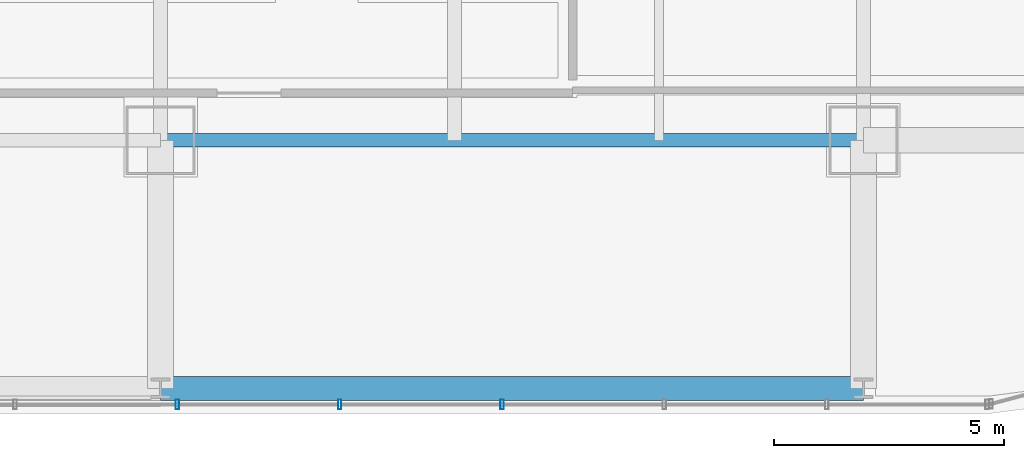
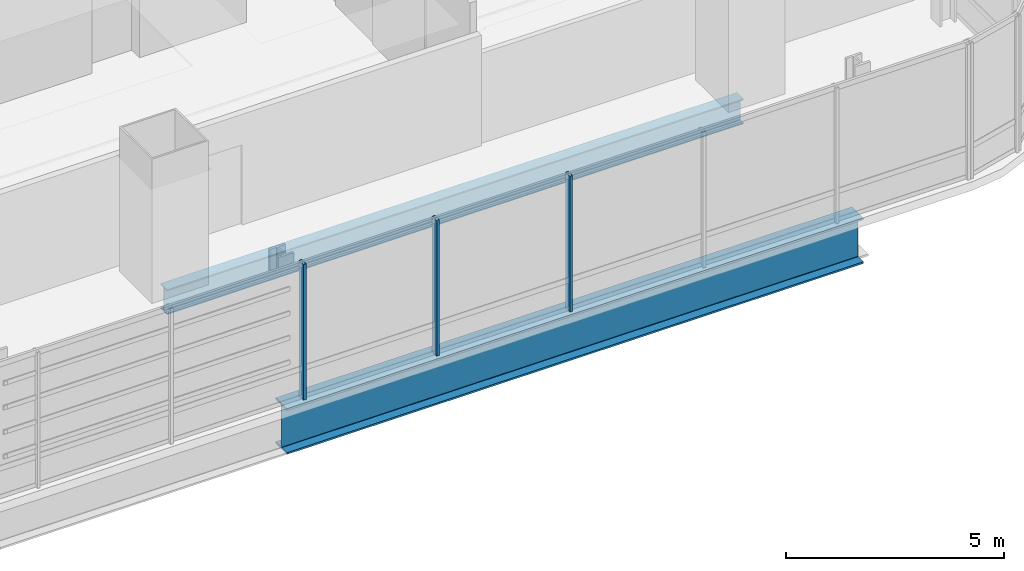
# One storey, part 6 of 35: 3 members, 2 beams, 1 element without a shape of its own.
"""IFC4 building model written with IfcOpenShell, lengths in metres."""

from ifc_helpers import new_model, si_unit, direction, frame, origin, origin_2d, place, context, subcontext, project, spatial, hollow_rectangle, i_section, extrude, material, material_profile, profile_set, type_object, element, aggregate, save


model = new_model("IFC4")

# Units and contexts
model_context = context("Model", 3, precision=1e-05, world=origin(), true_north=direction((0.0, 1.0)))
body_context = subcontext(model_context, "Body", "Model", "MODEL_VIEW")
ifc_project = project(units=[si_unit("LENGTHUNIT", "METRE"), si_unit("AREAUNIT", "SQUARE_METRE"), si_unit("VOLUMEUNIT", "CUBIC_METRE"), si_unit("PLANEANGLEUNIT", "RADIAN"), si_unit("MASSUNIT", "GRAM", prefix="KILO")], contexts=[model_context])

# Site, building, storey
site_placement = place(None, origin())
site = spatial("IfcSite", under=ifc_project, at=site_placement, CompositionType="ELEMENT")
building_placement = place(site_placement, origin())
building = spatial("IfcBuilding", under=site, at=building_placement, Name="Punatoya Terracotta Tower", CompositionType="ELEMENT")
storey_placement = place(building_placement, frame((0.0, 0.0, 68.699951171875)))
storey = spatial("IfcBuildingStorey", under=building, at=storey_placement, Name="L15", CompositionType="ELEMENT", Elevation=68.699951171875)

# Beams
ifc_material_1 = material(Name="Steel S355", Category="steel")
ifc_material_profile_1 = material_profile(ifc_material_1, i_section(OverallWidth=0.300048828125, OverallDepth=0.699951171875, WebThickness=0.01708984375, FlangeThickness=0.031982421875, FilletRadius=0.01806640625, at=origin_2d()))
ifc_profile_set_1 = profile_set([ifc_material_profile_1], Name="Steel S355")
beam_type_1 = type_object("IfcBeamType", Name="BM-PRI-700", PredefinedType="BEAM", material=ifc_profile_set_1)
beam_1_placement = place(storey_placement, frame((3.800048828125, -17.5, -0.58984375), z_axis=(1.0, 0.0, 0.0), x_axis=(0.0, 1.0, 0.0)))
element("IfcBeam", 1, at=beam_1_placement, inside=storey, type_object=beam_type_1, Name="BM-L15-RG-S3", PredefinedType="BEAM", context=body_context, shape_type="SweptSolid", body=[
    extrude(i_section(OverallWidth=0.300048828125, OverallDepth=0.699951171875, WebThickness=0.01708984375, FlangeThickness=0.031982421875, FilletRadius=0.01806640625, at=origin_2d()), origin(), (0.0, 0.0, 1.0), 15.300048828125),
])
ifc_material_2 = material(Name="Steel S460", Category="steel")
ifc_material_profile_2 = material_profile(ifc_material_2, i_section(OverallWidth=0.52001953125, OverallDepth=1.280029296875, WebThickness=0.031982421875, FlangeThickness=0.050048828125, FilletRadius=0.01806640625, at=origin_2d()))
ifc_profile_set_2 = profile_set([ifc_material_profile_2], Name="Steel S460")
beam_type_2 = type_object("IfcBeamType", Name="BM-TG-NCK", PredefinedType="BEAM", material=ifc_profile_set_2)
beam_2_placement = place(storey_placement, frame((3.800048828125, -22.89990234375, -0.8798828125), z_axis=(1.0, 0.0, 0.0), x_axis=(0.0, 1.0, 0.0)))
element("IfcBeam", 2, at=beam_2_placement, inside=storey, type_object=beam_type_2, Name="BM-L15-PER-S3", PredefinedType="BEAM", context=body_context, shape_type="SweptSolid", body=[
    extrude(i_section(OverallWidth=0.52001953125, OverallDepth=1.280029296875, WebThickness=0.031982421875, FlangeThickness=0.050048828125, FilletRadius=0.01806640625, at=origin_2d()), origin(), (0.0, 0.0, 1.0), 15.300048828125),
])

# Curtain wall, members
ifc_material_3 = material(Name="Aluminium 6063-T6 + Double Low-E Glass", Category="aluminium")
curtain_wall_type = type_object("IfcCurtainWallType", Name="CW-M1", PredefinedType="NOTDEFINED", material=ifc_material_3)
curtain_wall_placement = place(storey_placement, origin())
curtain_wall = element("IfcCurtainWall", 3, at=curtain_wall_placement, inside=storey, type_object=curtain_wall_type, Name="L15 Curtain Wall CW-L15-S01-1", PredefinedType="NOTDEFINED")
ifc_material_4 = material(Name="Aluminium 6063-T6", Category="aluminium")
ifc_material_profile_3 = material_profile(ifc_material_4, hollow_rectangle(XDim=0.074951171875, YDim=0.2099609375, WallThickness=0.00439453125, at=origin_2d()))
ifc_profile_set_3 = profile_set([ifc_material_profile_3], Name="Aluminium 6063-T6")
member_type = type_object("IfcMemberType", Name="CW-MUL-M1", PredefinedType="MULLION", material=ifc_profile_set_3)
member_1_placement = place(storey_placement, frame((4.1669921875, -23.25, 0.0), z_axis=(0.0, 0.0, 1.0), x_axis=(1.0, 0.0, 0.0)))
member_1 = element("IfcMember", 4, at=member_1_placement, type_object=member_type, Name="CW-L15-S01-1 Mullion 06", PredefinedType="MULLION", context=body_context, shape_type="SweptSolid", body=[
    extrude(hollow_rectangle(XDim=0.074951171875, YDim=0.2099609375, WallThickness=0.00439453125, at=origin_2d()), origin(), (0.0, 0.0, 1.0), 3.81005859375),
])
member_2_placement = place(storey_placement, frame((7.700927734375, -23.25, 0.0), z_axis=(0.0, 0.0, 1.0), x_axis=(1.0, 0.0, 0.0)))
member_2 = element("IfcMember", 5, at=member_2_placement, type_object=member_type, Name="CW-L15-S01-1 Mullion 07", PredefinedType="MULLION", context=body_context, shape_type="SweptSolid", body=[
    extrude(hollow_rectangle(XDim=0.074951171875, YDim=0.2099609375, WallThickness=0.00439453125, at=origin_2d()), origin(), (0.0, 0.0, 1.0), 3.81005859375),
])
member_3_placement = place(storey_placement, frame((11.235107421875, -23.25, 0.0), z_axis=(0.0, 0.0, 1.0), x_axis=(1.0, 0.0, 0.0)))
member_3 = element("IfcMember", 6, at=member_3_placement, type_object=member_type, Name="CW-L15-S01-1 Mullion 08", PredefinedType="MULLION", context=body_context, shape_type="SweptSolid", body=[
    extrude(hollow_rectangle(XDim=0.074951171875, YDim=0.2099609375, WallThickness=0.00439453125, at=origin_2d()), origin(), (0.0, 0.0, 1.0), 3.81005859375),
])
aggregate(curtain_wall, [member_1, member_2, member_3])

save(model, "model.ifc")
